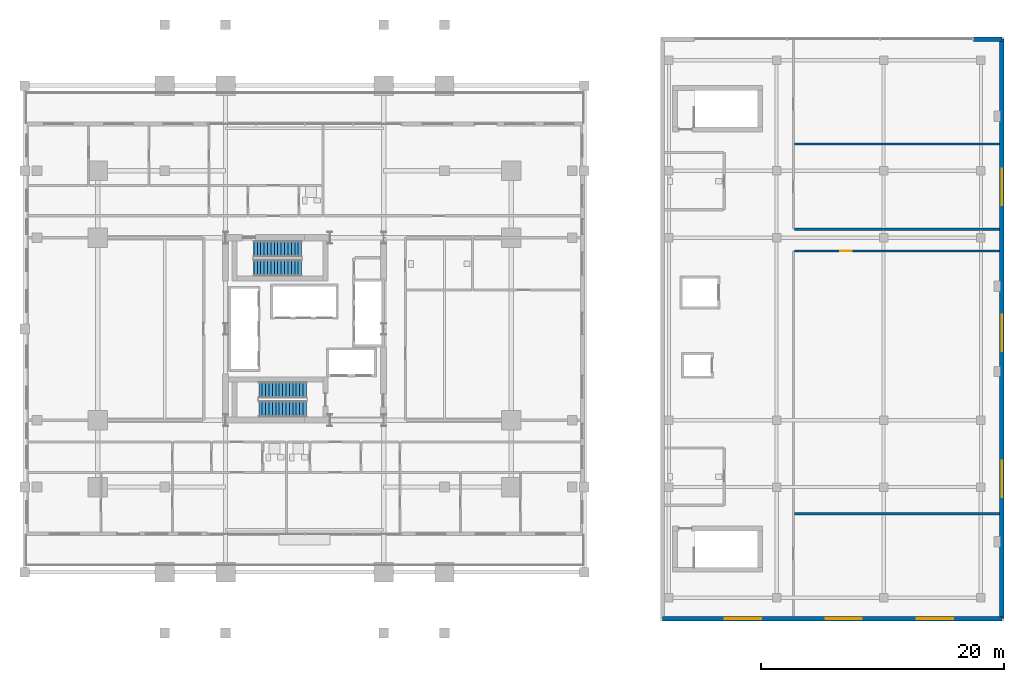
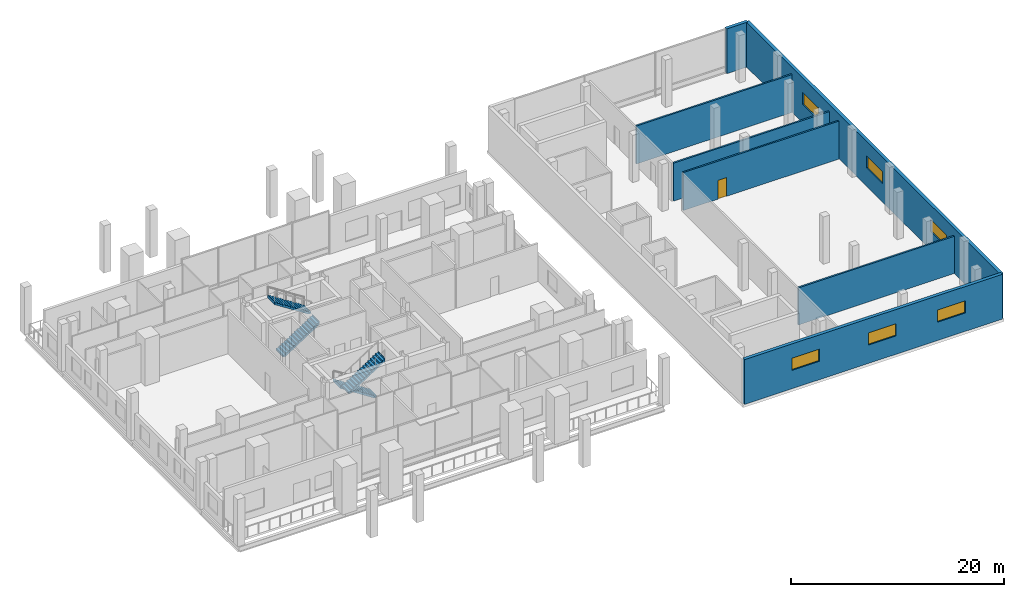
# One storey, part 21 of 25: 7 walls, 6 windows, 4 stair flights, 1 door, 7 openings, 2 elements without a shape of their own.
"""IFC4 building model written with IfcOpenShell, lengths in metres."""

import ifcopenshell
import ifcopenshell.guid

model = None  # the IFC model being written
_history = None  # IfcOwnerHistory: only IFC2X3 demands one
_inside = {}  # id of a spatial element -> (the spatial element, [elements in it])
_under = {}  # id of a project, library or spatial element -> (it, [spatial elements below it])
_declared = {}  # id of a project -> (the project, [libraries it declares])
_typed = {}  # id of a type object -> (the type object, [elements of that type])
_made_of = {}  # id of a material, layer set ... -> (it, [elements and type objects made of it])


def new_model(schema):
    """Start an empty IFC model of exactly this schema.

    Asked for "IFC4X3", IfcOpenShell would pick the latest addendum, in which some entities
    have other attributes; the version numbers below select the first issue.
    IFC2X3 requires an IfcOwnerHistory on every rooted entity: one is made here for all.
    """
    global model, _history
    if schema == "IFC4X3":
        model = ifcopenshell.file(schema_version=(4, 3, 0, 0))
    else:
        model = ifcopenshell.file(schema=schema)
    _inside.clear()
    _under.clear()
    _declared.clear()
    _typed.clear()
    _made_of.clear()
    _history = None
    if model.schema == "IFC2X3":
        org = make("IfcOrganization", Name="unknown")
        user = make(
            "IfcPersonAndOrganization",
            ThePerson=make("IfcPerson", FamilyName="unknown"),
            TheOrganization=org,
        )
        app = make(
            "IfcApplication",
            ApplicationDeveloper=org,
            Version="unknown",
            ApplicationFullName="unknown",
            ApplicationIdentifier="unknown",
        )
        _history = make(
            "IfcOwnerHistory",
            OwningUser=user,
            OwningApplication=app,
            ChangeAction="ADDED",
            CreationDate=0,
        )
    return model


def make(cls, **values):
    """One entity of the class cls with the attributes given. An attribute that is None is left unset."""
    return model.create_entity(
        cls, **{name: value for name, value in values.items() if value is not None}
    )


def rooted(cls, **values):
    """An entity with a GlobalId (a new one), such as an element, a storey or a relation."""
    return make(cls, GlobalId=ifcopenshell.guid.new(), OwnerHistory=_history, **values)


def si_unit(unit_type, name, prefix=None):
    """IfcSIUnit, for example si_unit("LENGTHUNIT", "METRE", prefix="MILLI")."""
    return make("IfcSIUnit", UnitType=unit_type, Prefix=prefix, Name=name)


def assignment(units):
    """IfcUnitAssignment: the units of a project."""
    return None if units is None else make("IfcUnitAssignment", Units=units)


def point(xyz):
    """IfcCartesianPoint."""
    return None if xyz is None else make("IfcCartesianPoint", Coordinates=xyz)


def direction(xyz):
    """IfcDirection."""
    return None if xyz is None else make("IfcDirection", DirectionRatios=xyz)


def frame(location, z_axis=None, x_axis=None):
    """IfcAxis2Placement3D, a coordinate frame: its origin and axes. An axis left out is left unset."""
    return make(
        "IfcAxis2Placement3D",
        Location=point(location),
        Axis=direction(z_axis),
        RefDirection=direction(x_axis),
    )


def frame_2d(location, x_axis=None):
    """IfcAxis2Placement2D, a coordinate frame in the plane: its origin and x axis."""
    return make(
        "IfcAxis2Placement2D", Location=point(location), RefDirection=direction(x_axis)
    )


def origin():
    """The frame at (0, 0, 0) with its axes left unset."""
    return frame((0.0, 0.0, 0.0))


def place(relative_to, where):
    """IfcLocalPlacement: puts the frame where relative to a parent placement (None: the world)."""
    return make(
        "IfcLocalPlacement", PlacementRelTo=relative_to, RelativePlacement=where
    )


def context(
    kind, dimensions, precision=None, world=None, true_north=None, identifier=None
):
    """IfcGeometricRepresentationContext, for example the 3D "Model" context."""
    return make(
        "IfcGeometricRepresentationContext",
        ContextIdentifier=identifier,
        ContextType=kind,
        CoordinateSpaceDimension=dimensions,
        Precision=precision,
        WorldCoordinateSystem=world,
        TrueNorth=true_north,
    )


def subcontext(parent, identifier, kind, view, scale=None):
    """IfcGeometricRepresentationSubContext, for example "Body" below "Model"."""
    return make(
        "IfcGeometricRepresentationSubContext",
        ContextIdentifier=identifier,
        ContextType=kind,
        ParentContext=parent,
        TargetScale=scale,
        TargetView=view,
    )


def project(units=None, contexts=None):
    """IfcProject with its units and contexts."""
    return rooted(
        "IfcProject",
        Name="project",
        RepresentationContexts=contexts,
        UnitsInContext=assignment(units),
    )


def spatial(cls, under=None, at=None, **own):
    """A site, building, storey or space (cls), placed at a placement, below another one or the project."""
    s = rooted(cls, ObjectPlacement=at, **own)
    if under is not None:
        _under.setdefault(under.id(), (under, []))[1].append(s)
    return s


def polyline(points):
    """IfcPolyline through the points."""
    return make("IfcPolyline", Points=[point(p) for p in points])


def profile(cls, at=None, kind="AREA", **sizes):
    """A parametric profile (cls). Its sizes go by their IFC names, for example OverallWidth=200.0."""
    return make(cls, ProfileType=kind, Position=at, **sizes)


def rectangle(**sizes):
    """IfcRectangleProfileDef."""
    return profile("IfcRectangleProfileDef", **sizes)


def outline(outer, holes=None, kind="AREA"):
    """IfcArbitraryClosedProfileDef: a profile drawn as a closed curve; with holes, ...WithVoids."""
    if holes is None:
        return make("IfcArbitraryClosedProfileDef", ProfileType=kind, OuterCurve=outer)
    return make(
        "IfcArbitraryProfileDefWithVoids",
        ProfileType=kind,
        OuterCurve=outer,
        InnerCurves=holes,
    )


def extrude(swept, where, along, depth):
    """IfcExtrudedAreaSolid: the profile swept, set in the frame where, extruded along a direction by depth."""
    return make(
        "IfcExtrudedAreaSolid",
        SweptArea=swept,
        Position=where,
        ExtrudedDirection=direction(along),
        Depth=depth,
    )


def shape(context_of_items, identifier, shape_type, items):
    """IfcShapeRepresentation: the items that make up one representation, for example the "Body"."""
    return make(
        "IfcShapeRepresentation",
        ContextOfItems=context_of_items,
        RepresentationIdentifier=identifier,
        RepresentationType=shape_type,
        Items=items,
    )


def material(Name=None, Category=None):
    """IfcMaterial."""
    return make("IfcMaterial", Name=Name, Category=Category)


def layer(
    of_material, thickness, ventilated=None, Name=None, Category=None, Priority=None
):
    """IfcMaterialLayer: one layer of a wall or slab, of a material (None: an air gap)."""
    return make(
        "IfcMaterialLayer",
        Material=of_material,
        LayerThickness=thickness,
        IsVentilated=ventilated,
        Name=Name,
        Category=Category,
        Priority=Priority,
    )


def layer_set(layers, Name=None):
    """IfcMaterialLayerSet."""
    return make("IfcMaterialLayerSet", MaterialLayers=layers, LayerSetName=Name)


def made_of(thing, what):
    """Note that an element or type object is made of a material, layer set ...; save() writes the relation."""
    if what is not None:
        _made_of.setdefault(what.id(), (what, []))[1].append(thing)
    return thing


def type_object(cls, material=None, **own):
    """A type object (cls), such as IfcWallType, which elements share."""
    return made_of(rooted(cls, **own), material)


def element(
    cls,
    number,
    at=None,
    inside=None,
    cuts=None,
    type_object=None,
    material=None,
    context=None,
    identifier="Body",
    shape_type=None,
    held_by="IfcProductDefinitionShape",
    body=None,
    shapes=None,
    **own,
):
    """One element of the class cls, such as IfcWall. Its Tag is "e" and its number.

    at: its placement. inside: the storey or other place that contains it. cuts: it is an
    opening in that element (IfcRelVoidsElement). A single representation is given by context,
    identifier, shape_type and body (its items); several are given by shapes. held_by: the class
    of the entity that holds the representations. save() writes the other relations.
    """
    e = rooted(cls, Tag="e%d" % number, ObjectPlacement=at, **own)
    if body is not None:
        shapes = [shape(context, identifier, shape_type, body)]
    if shapes is not None:
        e.Representation = make(held_by, Representations=shapes)
    if inside is not None:
        _inside.setdefault(inside.id(), (inside, []))[1].append(e)
    if cuts is not None:
        rooted(
            "IfcRelVoidsElement", RelatingBuildingElement=cuts, RelatedOpeningElement=e
        )
    if type_object is not None:
        _typed.setdefault(type_object.id(), (type_object, []))[1].append(e)
    return made_of(e, material)


def fill(opening, filler):
    """IfcRelFillsElement: the door or window that sits in an opening."""
    return rooted(
        "IfcRelFillsElement",
        RelatingOpeningElement=opening,
        RelatedBuildingElement=filler,
    )


def aggregate(whole, parts):
    """IfcRelAggregates: a whole, such as a stair, and the parts it consists of."""
    return rooted("IfcRelAggregates", RelatingObject=whole, RelatedObjects=parts)


def save(model, path):
    """Write the relations noted so far, then the file.

    IfcRelAggregates (storeys below a building ...), IfcRelContainedInSpatialStructure (elements
    in a storey), IfcRelDefinesByType, IfcRelAssociatesMaterial and IfcRelDeclares: one each for
    every whole, place, type object, material and project.
    """
    for whole, parts in _under.values():
        aggregate(whole, parts)
    for where, things in _inside.values():
        rooted(
            "IfcRelContainedInSpatialStructure",
            RelatedElements=things,
            RelatingStructure=where,
        )
    for kind, things in _typed.values():
        rooted("IfcRelDefinesByType", RelatedObjects=things, RelatingType=kind)
    for what, things in _made_of.values():
        rooted("IfcRelAssociatesMaterial", RelatedObjects=things, RelatingMaterial=what)
    for by, libraries in _declared.values():
        rooted("IfcRelDeclares", RelatingContext=by, RelatedDefinitions=libraries)
    model.write(path)


model = new_model("IFC4")

# Units and contexts
model_context = context("Model", 3, precision=1e-05, world=origin(), true_north=direction((0.0, 1.0)))
body_context = subcontext(model_context, "Body", "Model", "MODEL_VIEW")
ifc_project = project(units=[si_unit("LENGTHUNIT", "METRE"), si_unit("AREAUNIT", "SQUARE_METRE"), si_unit("VOLUMEUNIT", "CUBIC_METRE"), si_unit("PLANEANGLEUNIT", "RADIAN"), si_unit("MASSUNIT", "GRAM", prefix="KILO")], contexts=[model_context])

# Site, building, storey
site_placement = place(None, origin())
site = spatial("IfcSite", under=ifc_project, at=site_placement, CompositionType="ELEMENT")
building_placement = place(site_placement, origin())
building = spatial("IfcBuilding", under=site, at=building_placement, Name="Barlavira Tower and Art Museum", CompositionType="ELEMENT")
storey_placement = place(building_placement, frame((0.0, 0.0, 22.199951171875)))
storey = spatial("IfcBuildingStorey", under=building, at=storey_placement, Name="L04", CompositionType="ELEMENT", Elevation=22.199951171875)

# Wall
ifc_material_1 = material(Name="Gypsum acoustic stud partition", Category="gypsum")
ifc_layer_1 = layer(ifc_material_1, 0.179931640625, Name="Gypsum acoustic stud partition")
ifc_layer_set_1 = layer_set([ifc_layer_1], Name="Gypsum acoustic stud partition")
wall_type_1 = type_object("IfcWallType", Name="Inter-Tenancy Party Partition Wall 180", PredefinedType="PARTITIONING", material=ifc_layer_set_1)
wall_1_placement = place(storey_placement, frame((40.280029296875, -15.199951171875, 0.0), z_axis=(0.0, 0.0, 1.0), x_axis=(1.0, 0.0, 0.0)))
element("IfcWall", 1, at=wall_1_placement, inside=storey, type_object=wall_type_1, Name="L04 Partition Wall 25", PredefinedType="PARTITIONING", context=body_context, shape_type="SweptSolid", body=[
    extrude(rectangle(XDim=16.864990234375, YDim=0.179931640625, at=frame_2d((8.4326171875, 0.0))), origin(), (0.0, 0.0, 1.0), 4.26416015625),
])

# Wall, opening, door
wall_2_placement = place(storey_placement, frame((40.280029296875, 6.39990234375, 0.0), z_axis=(0.0, 0.0, 1.0), x_axis=(1.0, 0.0, 0.0)))
wall_2 = element("IfcWall", 2, at=wall_2_placement, inside=storey, type_object=wall_type_1, Name="L04 Partition Wall 52", PredefinedType="PARTITIONING", context=body_context, shape_type="SweptSolid", body=[
    extrude(rectangle(XDim=16.864990234375, YDim=0.179931640625, at=frame_2d((8.4326171875, 0.0))), origin(), (0.0, 0.0, 1.0), 4.34716796875),
])
opening_1_placement = place(wall_2_placement, frame((3.7451171875, 0.0, 0.0)))
opening_1 = element("IfcOpeningElement", 3, at=opening_1_placement, cuts=wall_2, Name="Opening FD-60", PredefinedType="OPENING", context=body_context, shape_type="SweptSolid", body=[
    extrude(rectangle(XDim=0.949951171875, YDim=2.14990234375, at=frame_2d((0.47509765625, 1.074951171875))), frame((0.0, 0.10009765625, 0.0), z_axis=(0.0, -1.0, 0.0), x_axis=(1.0, 0.0, 0.0)), (0.0, 0.0, 1.0), 0.199951171875),
])
ifc_material_2 = material(Name="Brushed stainless steel", Category="steel")
door_type = type_object("IfcDoorType", Name="Apartment Entrance and Riser Fire Door 950x2150 FD60S", OperationType="NOTDEFINED", PredefinedType="DOOR", material=ifc_material_2)
door_placement = place(opening_1_placement, origin())
door = element("IfcDoor", 4, at=door_placement, inside=storey, type_object=door_type, Name="L04 Top-Lit Zenithal Painting Gallery Door", OperationType="SINGLE_SWING_RIGHT", OverallHeight=2.14990234375, OverallWidth=0.949951171875, PredefinedType="DOOR", context=body_context, shape_type="SweptSolid", body=[
    extrude(rectangle(XDim=0.949951171875, YDim=2.14990234375, at=frame_2d((0.47509765625, 1.074951171875))), frame((0.0, 0.02490234375, 0.0), z_axis=(0.0, -1.0, 0.0), x_axis=(1.0, 0.0, 0.0)), (0.0, 0.0, 1.0), 0.050048828125),
])
fill(opening_1, door)

# Walls
for number, where, z_axis, x_axis, name in (
    (5, (40.280029296875, 8.199951171875, 0.0), (0.0, 0.0, 1.0), (1.0, 0.0, 0.0), "L04 Partition Wall 56"),
    (6, (40.280029296875, 15.199951171875, 0.0), (0.0, 0.0, 1.0), (1.0, 0.0, 0.0), "L04 Partition Wall 70"),
):
    element("IfcWall", number, at=place(storey_placement, frame(where, z_axis=z_axis, x_axis=x_axis)), inside=storey, type_object=wall_type_1, Name=name, PredefinedType="PARTITIONING", context=body_context, shape_type="SweptSolid", body=[
        extrude(rectangle(XDim=16.864990234375, YDim=0.179931640625, at=frame_2d((8.4326171875, 0.0))), origin(), (0.0, 0.0, 1.0), 4.34716796875),
    ])

# Wall, openings, windows
ifc_material_3 = material(Name="Precast concrete C40", Category="concrete")
ifc_layer_2 = layer(ifc_material_3, 0.35009765625, Name="Precast concrete C40")
ifc_layer_set_2 = layer_set([ifc_layer_2], Name="Precast concrete C40")
wall_type_2 = type_object("IfcWallType", Name="Museum Board-Formed Concrete Facade Wall 350 Concrete C40", PredefinedType="SOLIDWALL", material=ifc_layer_set_2)
wall_3_placement = place(storey_placement, frame((57.324951171875, -23.824951171875, 0.0), z_axis=(0.0, 0.0, 1.0), x_axis=(-1.0, 0.0, 0.0)))
wall_3 = element("IfcWall", 7, at=wall_3_placement, inside=storey, type_object=wall_type_2, Name="L04 Museum South Facade Wall", PredefinedType="SOLIDWALL", context=body_context, shape_type="SweptSolid", body=[
    extrude(rectangle(XDim=27.89990234375, YDim=0.35009765625, at=frame_2d((13.949951171875, 0.0))), origin(), (0.0, 0.0, 1.0), 5.130126953125),
])
opening_2_placement = place(wall_3_placement, frame((4.0, 0.0, 2.10009765625)))
opening_2 = element("IfcOpeningElement", 8, at=opening_2_placement, cuts=wall_3, Name="Opening WN-03", PredefinedType="OPENING", context=body_context, shape_type="SweptSolid", body=[
    extrude(rectangle(XDim=3.0, YDim=1.39990234375, at=frame_2d((1.5, 0.699951171875))), frame((0.0, 0.18505859375, 0.0), z_axis=(0.0, -1.0, 0.0), x_axis=(1.0, 0.0, 0.0)), (0.0, 0.0, 1.0), 0.3701171875),
])
opening_3_placement = place(wall_3_placement, frame((11.5, 0.0, 2.10009765625)))
opening_3 = element("IfcOpeningElement", 9, at=opening_3_placement, cuts=wall_3, Name="Opening WN-03", PredefinedType="OPENING", context=body_context, shape_type="SweptSolid", body=[
    extrude(rectangle(XDim=3.0, YDim=1.39990234375, at=frame_2d((1.5, 0.699951171875))), frame((0.0, 0.18505859375, 0.0), z_axis=(0.0, -1.0, 0.0), x_axis=(1.0, 0.0, 0.0)), (0.0, 0.0, 1.0), 0.3701171875),
])
opening_4_placement = place(wall_3_placement, frame((19.800048828125, 0.0, 2.10009765625)))
opening_4 = element("IfcOpeningElement", 10, at=opening_4_placement, cuts=wall_3, Name="Opening WN-03", PredefinedType="OPENING", context=body_context, shape_type="SweptSolid", body=[
    extrude(rectangle(XDim=3.0, YDim=1.39990234375, at=frame_2d((1.5, 0.699951171875))), frame((0.0, 0.18505859375, 0.0), z_axis=(0.0, -1.0, 0.0), x_axis=(1.0, 0.0, 0.0)), (0.0, 0.0, 1.0), 0.3701171875),
])
ifc_material_4 = material(Name="Low-iron coastal laminated glass", Category="glass")
window_type = type_object("IfcWindowType", Name="Museum Controlled-Daylight Clerestory Window 3000x1400", PartitioningType="SINGLE_PANEL", PredefinedType="WINDOW", material=ifc_material_4)
window_1_placement = place(opening_2_placement, origin())
window_1 = element("IfcWindow", 11, at=window_1_placement, inside=storey, type_object=window_type, Name="L04 Museum Clerestory Window S1", OverallHeight=1.39990234375, OverallWidth=3.0, PartitioningType="SINGLE_PANEL", PredefinedType="WINDOW", context=body_context, shape_type="SweptSolid", body=[
    extrude(rectangle(XDim=3.0, YDim=1.39990234375, at=frame_2d((1.5, 0.699951171875))), frame((0.0, 0.030029296875, 0.0), z_axis=(0.0, -1.0, 0.0), x_axis=(1.0, 0.0, 0.0)), (0.0, 0.0, 1.0), 0.06005859375),
])
fill(opening_2, window_1)
window_2_placement = place(opening_3_placement, origin())
window_2 = element("IfcWindow", 12, at=window_2_placement, inside=storey, type_object=window_type, Name="L04 Museum Clerestory Window S2", OverallHeight=1.39990234375, OverallWidth=3.0, PartitioningType="SINGLE_PANEL", PredefinedType="WINDOW", context=body_context, shape_type="SweptSolid", body=[
    extrude(rectangle(XDim=3.0, YDim=1.39990234375, at=frame_2d((1.5, 0.699951171875))), frame((0.0, 0.030029296875, 0.0), z_axis=(0.0, -1.0, 0.0), x_axis=(1.0, 0.0, 0.0)), (0.0, 0.0, 1.0), 0.06005859375),
])
fill(opening_3, window_2)
window_3_placement = place(opening_4_placement, origin())
window_3 = element("IfcWindow", 13, at=window_3_placement, inside=storey, type_object=window_type, Name="L04 Museum Clerestory Window S3", OverallHeight=1.39990234375, OverallWidth=3.0, PartitioningType="SINGLE_PANEL", PredefinedType="WINDOW", context=body_context, shape_type="SweptSolid", body=[
    extrude(rectangle(XDim=3.0, YDim=1.39990234375, at=frame_2d((1.5, 0.699951171875))), frame((0.0, 0.030029296875, 0.0), z_axis=(0.0, -1.0, 0.0), x_axis=(1.0, 0.0, 0.0)), (0.0, 0.0, 1.0), 0.06005859375),
])
fill(opening_4, window_3)

wall_4_placement = place(storey_placement, frame((57.324951171875, -23.824951171875, 0.0), z_axis=(0.0, 0.0, 1.0), x_axis=(0.0, 1.0, 0.0)))
wall_4 = element("IfcWall", 14, at=wall_4_placement, inside=storey, type_object=wall_type_2, Name="L04 Museum East Coastal Facade Wall", PredefinedType="SOLIDWALL", context=body_context, shape_type="SweptSolid", body=[
    extrude(rectangle(XDim=47.64990234375, YDim=0.35009765625, at=frame_2d((23.824951171875, 0.0))), origin(), (0.0, 0.0, 1.0), 5.130126953125),
])
opening_5_placement = place(wall_4_placement, frame((10.0, 0.0, 2.10009765625)))
opening_5 = element("IfcOpeningElement", 15, at=opening_5_placement, cuts=wall_4, Name="Opening WN-03", PredefinedType="OPENING", context=body_context, shape_type="SweptSolid", body=[
    extrude(rectangle(XDim=3.0, YDim=1.39990234375, at=frame_2d((1.5, 0.699951171875))), frame((0.0, 0.18505859375, 0.0), z_axis=(0.0, -1.0, 0.0), x_axis=(1.0, 0.0, 0.0)), (0.0, 0.0, 1.0), 0.3701171875),
])
opening_6_placement = place(wall_4_placement, frame((22.0, 0.0, 2.10009765625)))
opening_6 = element("IfcOpeningElement", 16, at=opening_6_placement, cuts=wall_4, Name="Opening WN-03", PredefinedType="OPENING", context=body_context, shape_type="SweptSolid", body=[
    extrude(rectangle(XDim=3.0, YDim=1.39990234375, at=frame_2d((1.5, 0.699951171875))), frame((0.0, 0.18505859375, 0.0), z_axis=(0.0, -1.0, 0.0), x_axis=(1.0, 0.0, 0.0)), (0.0, 0.0, 1.0), 0.3701171875),
])
opening_7_placement = place(wall_4_placement, frame((34.0, 0.0, 2.10009765625)))
opening_7 = element("IfcOpeningElement", 17, at=opening_7_placement, cuts=wall_4, Name="Opening WN-03", PredefinedType="OPENING", context=body_context, shape_type="SweptSolid", body=[
    extrude(rectangle(XDim=3.0, YDim=1.39990234375, at=frame_2d((1.5, 0.699951171875))), frame((0.0, 0.18505859375, 0.0), z_axis=(0.0, -1.0, 0.0), x_axis=(1.0, 0.0, 0.0)), (0.0, 0.0, 1.0), 0.3701171875),
])
window_4_placement = place(opening_5_placement, origin())
window_4 = element("IfcWindow", 18, at=window_4_placement, inside=storey, type_object=window_type, Name="L04 Museum Coastal Clerestory Window E1", OverallHeight=1.39990234375, OverallWidth=3.0, PartitioningType="SINGLE_PANEL", PredefinedType="WINDOW", context=body_context, shape_type="SweptSolid", body=[
    extrude(rectangle(XDim=3.0, YDim=1.39990234375, at=frame_2d((1.5, 0.699951171875))), frame((0.0, 0.030029296875, 0.0), z_axis=(0.0, -1.0, 0.0), x_axis=(1.0, 0.0, 0.0)), (0.0, 0.0, 1.0), 0.06005859375),
])
fill(opening_5, window_4)
window_5_placement = place(opening_6_placement, origin())
window_5 = element("IfcWindow", 19, at=window_5_placement, inside=storey, type_object=window_type, Name="L04 Museum Coastal Clerestory Window E2", OverallHeight=1.39990234375, OverallWidth=3.0, PartitioningType="SINGLE_PANEL", PredefinedType="WINDOW", context=body_context, shape_type="SweptSolid", body=[
    extrude(rectangle(XDim=3.0, YDim=1.39990234375, at=frame_2d((1.5, 0.699951171875))), frame((0.0, 0.030029296875, 0.0), z_axis=(0.0, -1.0, 0.0), x_axis=(1.0, 0.0, 0.0)), (0.0, 0.0, 1.0), 0.06005859375),
])
fill(opening_6, window_5)
window_6_placement = place(opening_7_placement, origin())
window_6 = element("IfcWindow", 20, at=window_6_placement, inside=storey, type_object=window_type, Name="L04 Museum Coastal Clerestory Window E3", OverallHeight=1.39990234375, OverallWidth=3.0, PartitioningType="SINGLE_PANEL", PredefinedType="WINDOW", context=body_context, shape_type="SweptSolid", body=[
    extrude(rectangle(XDim=3.0, YDim=1.39990234375, at=frame_2d((1.5, 0.699951171875))), frame((0.0, 0.030029296875, 0.0), z_axis=(0.0, -1.0, 0.0), x_axis=(1.0, 0.0, 0.0)), (0.0, 0.0, 1.0), 0.06005859375),
])
fill(opening_7, window_6)

# Wall
wall_5_placement = place(storey_placement, frame((57.324951171875, 23.824951171875, 0.0), z_axis=(0.0, 0.0, 1.0), x_axis=(-1.0, 0.0, 0.0)))
element("IfcWall", 21, at=wall_5_placement, inside=storey, type_object=wall_type_2, Name="L04 Museum North-East Pier Wall", PredefinedType="SOLIDWALL", context=body_context, shape_type="SweptSolid", body=[
    extrude(rectangle(XDim=2.324951171875, YDim=0.35009765625, at=frame_2d((1.16259765625, 0.0))), origin(), (0.0, 0.0, 1.0), 5.130126953125),
])

# Stair, stair flights
ifc_material_5 = material(Name="Concrete C45", Category="concrete")
stair_type_1 = type_object("IfcStairType", Name="Tower North Dog-Leg Exit Stair Assembly Concrete C45", PredefinedType="TWO_QUARTER_TURN_STAIR", material=ifc_material_5)
stair_1_placement = place(storey_placement, origin())
stair_1 = element("IfcStair", 22, at=stair_1_placement, inside=storey, type_object=stair_type_1, Name="L04 Tower North Exit Stair ST-T2", PredefinedType="TWO_QUARTER_TURN_STAIR")
ifc_material_6 = material(Name="Precast concrete C45", Category="concrete")
stair_flight_type_1 = type_object("IfcStairFlightType", Name="Tower North Dog-Leg Exit Stair Precast Flight 1350 Concrete C45", PredefinedType="STRAIGHT", material=ifc_material_6)
stair_flight_1_placement = place(storey_placement, frame((-4.169921875, 5.02490234375, 0.0), z_axis=(0.0, 0.0, 1.0), x_axis=(1.0, 0.0, 0.0)))
stair_flight_1 = element("IfcStairFlight", 23, at=stair_flight_1_placement, type_object=stair_flight_type_1, Name="ST-T2 flight 1", NumberOfRisers=15, NumberOfTreads=14, PredefinedType="STRAIGHT", RiserHeight=0.18, TreadLength=0.28, context=body_context, shape_type="SweptSolid", body=[
    extrude(outline(polyline([(-0.02490234375, 0.0), (0.0, 0.0), (0.0, 0.179931640625), (0.280029296875, 0.179931640625), (0.280029296875, 0.360107421875), (0.56005859375, 0.360107421875), (0.56005859375, 0.5400390625), (0.840087890625, 0.5400390625), (0.840087890625, 0.719970703125), (1.1201171875, 0.719970703125), (1.1201171875, 0.89990234375), (1.39990234375, 0.89990234375), (1.39990234375, 1.080078125), (1.679931640625, 1.080078125), (1.679931640625, 1.260009765625), (1.9599609375, 1.260009765625), (1.9599609375, 1.43994140625), (2.239990234375, 1.43994140625), (2.239990234375, 1.6201171875), (2.52001953125, 1.6201171875), (2.52001953125, 1.800048828125), (2.800048828125, 1.800048828125), (2.800048828125, 1.97998046875), (3.080078125, 1.97998046875), (3.080078125, 2.159912109375), (3.360107421875, 2.159912109375), (3.360107421875, 2.340087890625), (3.639892578125, 2.340087890625), (3.639892578125, 2.52001953125), (3.919921875, 2.52001953125), (3.919921875, 2.699951171875), (3.94482421875, 2.699951171875), (3.94482421875, 2.341796875), (3.919921875, 2.341796875), (0.277099609375, -0.02490234375), (-0.02490234375, -0.02490234375), (-0.02490234375, 0.0)])), frame((0.0, 0.675048828125, 0.0), z_axis=(0.0, -1.0, 0.0), x_axis=(1.0, 0.0, 0.0)), (0.0, 0.0, 1.0), 1.35009765625),
])
stair_flight_2_placement = place(storey_placement, frame((-0.25, 6.574951171875, 2.699951171875), z_axis=(0.0, 0.0, 1.0), x_axis=(-1.0, 0.0, 0.0)))
stair_flight_2 = element("IfcStairFlight", 24, at=stair_flight_2_placement, type_object=stair_flight_type_1, Name="ST-T2 flight 2", NumberOfRisers=15, NumberOfTreads=14, PredefinedType="STRAIGHT", RiserHeight=0.18, TreadLength=0.28, context=body_context, shape_type="SweptSolid", body=[
    extrude(outline(polyline([(-0.02490234375, 0.0), (0.0, 0.0), (0.0, 0.179931640625), (0.280029296875, 0.179931640625), (0.280029296875, 0.360107421875), (0.56005859375, 0.360107421875), (0.56005859375, 0.5400390625), (0.840087890625, 0.5400390625), (0.840087890625, 0.719970703125), (1.1201171875, 0.719970703125), (1.1201171875, 0.89990234375), (1.39990234375, 0.89990234375), (1.39990234375, 1.080078125), (1.679931640625, 1.080078125), (1.679931640625, 1.260009765625), (1.9599609375, 1.260009765625), (1.9599609375, 1.43994140625), (2.239990234375, 1.43994140625), (2.239990234375, 1.6201171875), (2.52001953125, 1.6201171875), (2.52001953125, 1.800048828125), (2.800048828125, 1.800048828125), (2.800048828125, 1.97998046875), (3.080078125, 1.97998046875), (3.080078125, 2.159912109375), (3.360107421875, 2.159912109375), (3.360107421875, 2.340087890625), (3.639892578125, 2.340087890625), (3.639892578125, 2.52001953125), (3.919921875, 2.52001953125), (3.919921875, 2.699951171875), (3.94482421875, 2.699951171875), (3.94482421875, 2.341796875), (3.919921875, 2.341796875), (0.277099609375, -0.02490234375), (-0.02490234375, -0.02490234375), (-0.02490234375, 0.0)])), frame((0.0, 0.675048828125, 0.0), z_axis=(0.0, -1.0, 0.0), x_axis=(1.0, 0.0, 0.0)), (0.0, 0.0, 1.0), 1.35009765625),
])
aggregate(stair_1, [stair_flight_1, stair_flight_2])

stair_type_2 = type_object("IfcStairType", Name="Tower South Dog-Leg Exit Stair Assembly Concrete C45", PredefinedType="TWO_QUARTER_TURN_STAIR", material=ifc_material_5)
stair_2_placement = place(storey_placement, origin())
stair_2 = element("IfcStair", 25, at=stair_2_placement, inside=storey, type_object=stair_type_2, Name="L04 Tower South Exit Stair ST-T1", PredefinedType="TWO_QUARTER_TURN_STAIR")
stair_flight_type_2 = type_object("IfcStairFlightType", Name="Tower South Dog-Leg Exit Stair Precast Flight 1350 Concrete C45", PredefinedType="STRAIGHT", material=ifc_material_6)
stair_flight_3_placement = place(storey_placement, frame((0.14990234375, -5.02490234375, 0.0), z_axis=(0.0, 0.0, 1.0), x_axis=(-1.0, 0.0, 0.0)))
stair_flight_3 = element("IfcStairFlight", 26, at=stair_flight_3_placement, type_object=stair_flight_type_2, Name="ST-T1 flight 1", NumberOfRisers=15, NumberOfTreads=14, PredefinedType="STRAIGHT", RiserHeight=0.18, TreadLength=0.28, context=body_context, shape_type="SweptSolid", body=[
    extrude(outline(polyline([(-0.02490234375, 0.0), (0.0, 0.0), (0.0, 0.179931640625), (0.280029296875, 0.179931640625), (0.280029296875, 0.360107421875), (0.56005859375, 0.360107421875), (0.56005859375, 0.5400390625), (0.840087890625, 0.5400390625), (0.840087890625, 0.719970703125), (1.1201171875, 0.719970703125), (1.1201171875, 0.89990234375), (1.39990234375, 0.89990234375), (1.39990234375, 1.080078125), (1.679931640625, 1.080078125), (1.679931640625, 1.260009765625), (1.9599609375, 1.260009765625), (1.9599609375, 1.43994140625), (2.239990234375, 1.43994140625), (2.239990234375, 1.6201171875), (2.52001953125, 1.6201171875), (2.52001953125, 1.800048828125), (2.800048828125, 1.800048828125), (2.800048828125, 1.97998046875), (3.080078125, 1.97998046875), (3.080078125, 2.159912109375), (3.360107421875, 2.159912109375), (3.360107421875, 2.340087890625), (3.639892578125, 2.340087890625), (3.639892578125, 2.52001953125), (3.919921875, 2.52001953125), (3.919921875, 2.699951171875), (3.94482421875, 2.699951171875), (3.94482421875, 2.341796875), (3.919921875, 2.341796875), (0.277099609375, -0.02490234375), (-0.02490234375, -0.02490234375), (-0.02490234375, 0.0)])), frame((0.0, 0.675048828125, 0.0), z_axis=(0.0, -1.0, 0.0), x_axis=(1.0, 0.0, 0.0)), (0.0, 0.0, 1.0), 1.35009765625),
])
stair_flight_4_placement = place(storey_placement, frame((-3.77001953125, -6.574951171875, 2.699951171875), z_axis=(0.0, 0.0, 1.0), x_axis=(1.0, 0.0, 0.0)))
stair_flight_4 = element("IfcStairFlight", 27, at=stair_flight_4_placement, type_object=stair_flight_type_2, Name="ST-T1 flight 2", NumberOfRisers=15, NumberOfTreads=14, PredefinedType="STRAIGHT", RiserHeight=0.18, TreadLength=0.28, context=body_context, shape_type="SweptSolid", body=[
    extrude(outline(polyline([(-0.02490234375, 0.0), (0.0, 0.0), (0.0, 0.179931640625), (0.280029296875, 0.179931640625), (0.280029296875, 0.360107421875), (0.56005859375, 0.360107421875), (0.56005859375, 0.5400390625), (0.840087890625, 0.5400390625), (0.840087890625, 0.719970703125), (1.1201171875, 0.719970703125), (1.1201171875, 0.89990234375), (1.39990234375, 0.89990234375), (1.39990234375, 1.080078125), (1.679931640625, 1.080078125), (1.679931640625, 1.260009765625), (1.9599609375, 1.260009765625), (1.9599609375, 1.43994140625), (2.239990234375, 1.43994140625), (2.239990234375, 1.6201171875), (2.52001953125, 1.6201171875), (2.52001953125, 1.800048828125), (2.800048828125, 1.800048828125), (2.800048828125, 1.97998046875), (3.080078125, 1.97998046875), (3.080078125, 2.159912109375), (3.360107421875, 2.159912109375), (3.360107421875, 2.340087890625), (3.639892578125, 2.340087890625), (3.639892578125, 2.52001953125), (3.919921875, 2.52001953125), (3.919921875, 2.699951171875), (3.94482421875, 2.699951171875), (3.94482421875, 2.341796875), (3.919921875, 2.341796875), (0.277099609375, -0.02490234375), (-0.02490234375, -0.02490234375), (-0.02490234375, 0.0)])), frame((0.0, 0.675048828125, 0.0), z_axis=(0.0, -1.0, 0.0), x_axis=(1.0, 0.0, 0.0)), (0.0, 0.0, 1.0), 1.35009765625),
])
aggregate(stair_2, [stair_flight_3, stair_flight_4])

save(model, "model.ifc")
